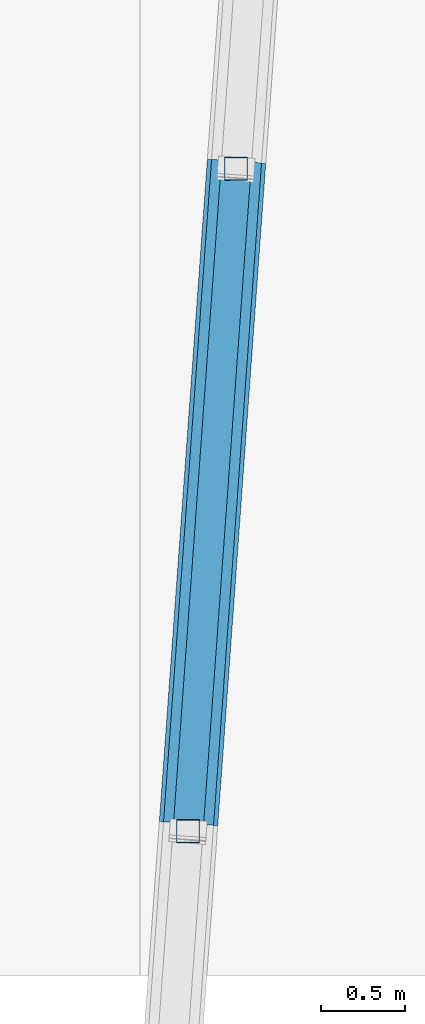
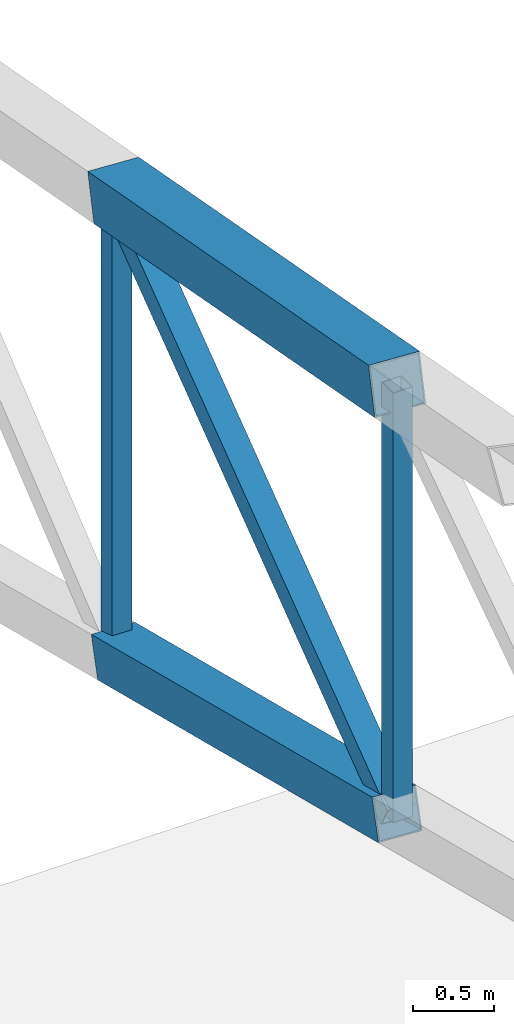
# One storey, part 20 of 188: 5 members.
"""IFC4 building model written with IfcOpenShell, lengths in metres."""

from ifc_helpers import new_model, si_unit, direction, frame, origin, origin_2d, place, context, subcontext, project, spatial, hollow_rectangle, extrude, material, material_profile, profile_set, type_object, element, save


model = new_model("IFC4")

# Units and contexts
model_context = context("Model", 3, precision=1e-05, world=origin(), true_north=direction((0.0, 1.0)))
body_context = subcontext(model_context, "Body", "Model", "MODEL_VIEW")
ifc_project = project(units=[si_unit("LENGTHUNIT", "METRE"), si_unit("AREAUNIT", "SQUARE_METRE"), si_unit("VOLUMEUNIT", "CUBIC_METRE"), si_unit("PLANEANGLEUNIT", "RADIAN"), si_unit("MASSUNIT", "GRAM", prefix="KILO")], contexts=[model_context])

# Site, building, storey
site_placement = place(None, origin())
site = spatial("IfcSite", under=ifc_project, at=site_placement, CompositionType="ELEMENT")
building_placement = place(site_placement, origin())
building = spatial("IfcBuilding", under=site, at=building_placement, Name="Meseta Stadium", CompositionType="ELEMENT")
storey_placement = place(building_placement, frame((0.0, 0.0, 30.0)))
storey = spatial("IfcBuildingStorey", under=building, at=storey_placement, Name="ROOF", CompositionType="ELEMENT", Elevation=30.0)

# Members
ifc_material_1 = material(Name="Steel S355", Category="steel")
ifc_material_profile_1 = material_profile(ifc_material_1, hollow_rectangle(XDim=0.139892578125, YDim=0.139892578125, WallThickness=0.0048828125, at=origin_2d()), Name="SHS 140x140x5")
ifc_profile_set_1 = profile_set([ifc_material_profile_1], Name="Steel S355")
member_type_1 = type_object("IfcMemberType", Name="SHS 140x140x5 post", PredefinedType="POST", material=ifc_profile_set_1)
member_1_placement = place(storey_placement, frame((-7.091796875, -97.47314453125, 4.931396484375), z_axis=(0.0, 0.0, 1.0), x_axis=(1.0, 0.0, 0.0)))
element("IfcMember", 1, at=member_1_placement, inside=storey, type_object=member_type_1, Name="ROOF TRUSS RT-46 post", PredefinedType="POST", context=body_context, shape_type="SweptSolid", body=[
    extrude(hollow_rectangle(XDim=0.139892578125, YDim=0.139892578125, WallThickness=0.0048828125, at=origin_2d()), origin(), (0.0, 0.0, 1.0), 3.468994140625),
])
member_2_placement = place(storey_placement, frame((-7.379150390625, -101.4365234375, 6.208740234375), z_axis=(0.0, 0.0, 1.0), x_axis=(1.0, 0.0, 0.0)))
element("IfcMember", 2, at=member_2_placement, inside=storey, type_object=member_type_1, Name="ROOF TRUSS RT-46 post", PredefinedType="POST", context=body_context, shape_type="SweptSolid", body=[
    extrude(hollow_rectangle(XDim=0.139892578125, YDim=0.139892578125, WallThickness=0.0048828125, at=origin_2d()), origin(), (0.0, 0.0, 1.0), 3.234375),
])
ifc_material_2 = material(Name="Steel S355", Category="steel")
ifc_material_profile_2 = material_profile(ifc_material_2, hollow_rectangle(XDim=0.179931640625, YDim=0.179931640625, WallThickness=0.00634765625, at=origin_2d()), Name="SHS 180x180x6.3")
ifc_profile_set_2 = profile_set([ifc_material_profile_2], Name="Steel S355")
member_type_2 = type_object("IfcMemberType", Name="SHS 180x180x6.3 diagonal", PredefinedType="BRACE", material=ifc_profile_set_2)
member_3_placement = place(storey_placement, frame((-7.091796875, -97.47314453125, 8.400390625), z_axis=(-0.063320342058, -0.873358056892, -0.482945378633), x_axis=(0.997382035302, -0.072312347884, 0.0)))
element("IfcMember", 3, at=member_3_placement, inside=storey, type_object=member_type_2, Name="ROOF TRUSS RT-46 diagonal", PredefinedType="BRACE", context=body_context, shape_type="SweptSolid", body=[
    extrude(hollow_rectangle(XDim=0.179931640625, YDim=0.179931640625, WallThickness=0.00634765625, at=origin_2d()), origin(), (0.0, 0.0, 1.0), 4.5380859375),
])
ifc_material_3 = material(Name="Steel S355", Category="steel")
ifc_material_profile_3 = material_profile(ifc_material_3, hollow_rectangle(XDim=0.300048828125, YDim=0.300048828125, WallThickness=0.010009765625, at=origin_2d()), Name="SHS 300x300x10")
ifc_profile_set_3 = profile_set([ifc_material_profile_3], Name="Steel S355")
member_type_3 = type_object("IfcMemberType", Name="SHS 300x300x10 bottom chord", PredefinedType="CHORD", material=ifc_profile_set_3)
member_4_placement = place(storey_placement, frame((-7.091796875, -97.47314453125, 4.931396484375), z_axis=(-0.068843134659, -0.949532241333, 0.306021478789), x_axis=(0.997382035302, -0.072312347884, 0.0)))
element("IfcMember", 4, at=member_4_placement, inside=storey, type_object=member_type_3, Name="ROOF TRUSS RT-46 bottom chord", PredefinedType="CHORD", context=body_context, shape_type="SweptSolid", body=[
    extrude(hollow_rectangle(XDim=0.300048828125, YDim=0.300048828125, WallThickness=0.010009765625, at=origin_2d()), origin(), (0.0, 0.0, 1.0), 4.174072265625),
])
ifc_material_4 = material(Name="Steel S355", Category="steel")
ifc_material_profile_4 = material_profile(ifc_material_4, hollow_rectangle(XDim=0.35009765625, YDim=0.35009765625, WallThickness=0.010009765625, at=origin_2d()), Name="SHS 350x350x10")
ifc_profile_set_4 = profile_set([ifc_material_profile_4], Name="Steel S355")
member_type_4 = type_object("IfcMemberType", Name="SHS 350x350x10 top chord", PredefinedType="CHORD", material=ifc_profile_set_4)
member_5_placement = place(storey_placement, frame((-7.091796875, -97.47314453125, 8.400390625), z_axis=(-0.069944441371, -0.964722227037, 0.253808588867), x_axis=(0.997382035302, -0.072312347884, 0.0)))
element("IfcMember", 5, at=member_5_placement, inside=storey, type_object=member_type_4, Name="ROOF TRUSS RT-46 top chord", PredefinedType="CHORD", context=body_context, shape_type="SweptSolid", body=[
    extrude(hollow_rectangle(XDim=0.35009765625, YDim=0.35009765625, WallThickness=0.010009765625, at=origin_2d()), origin(), (0.0, 0.0, 1.0), 4.1083984375),
])

save(model, "model.ifc")
